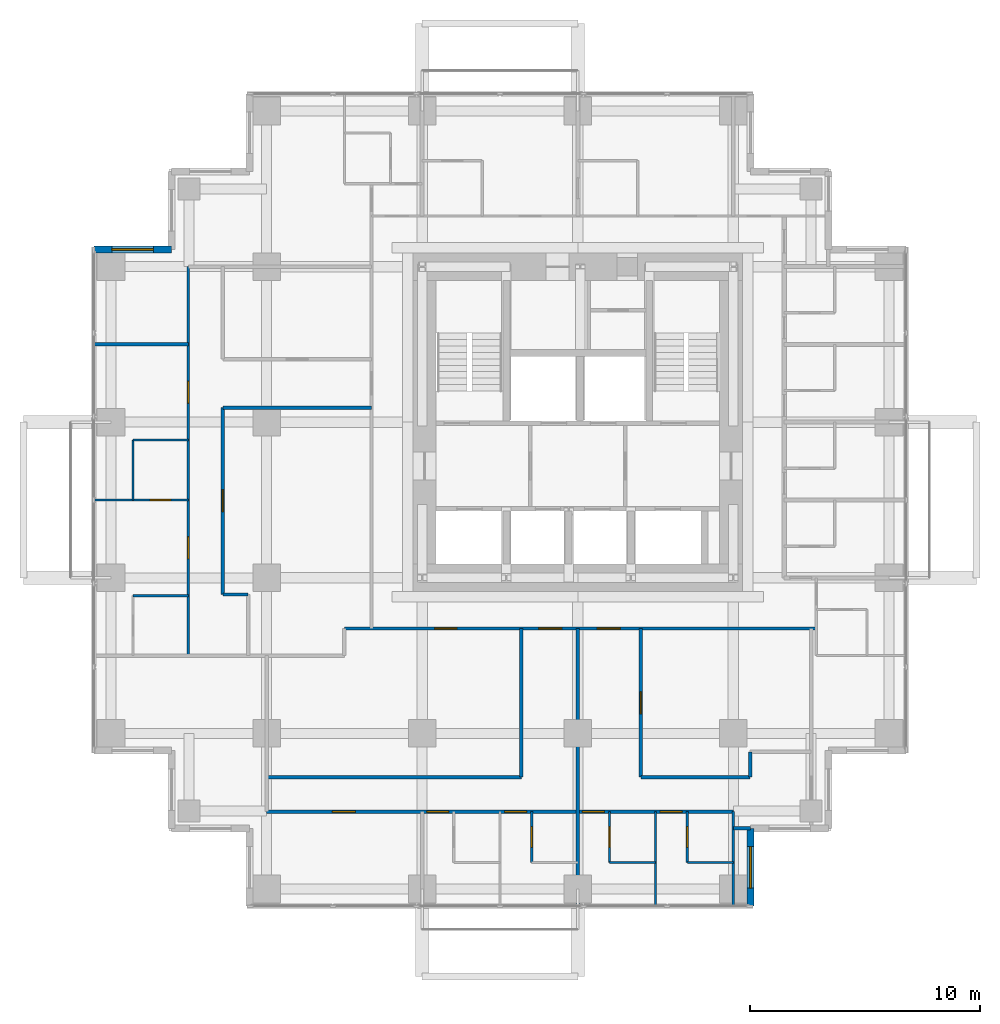
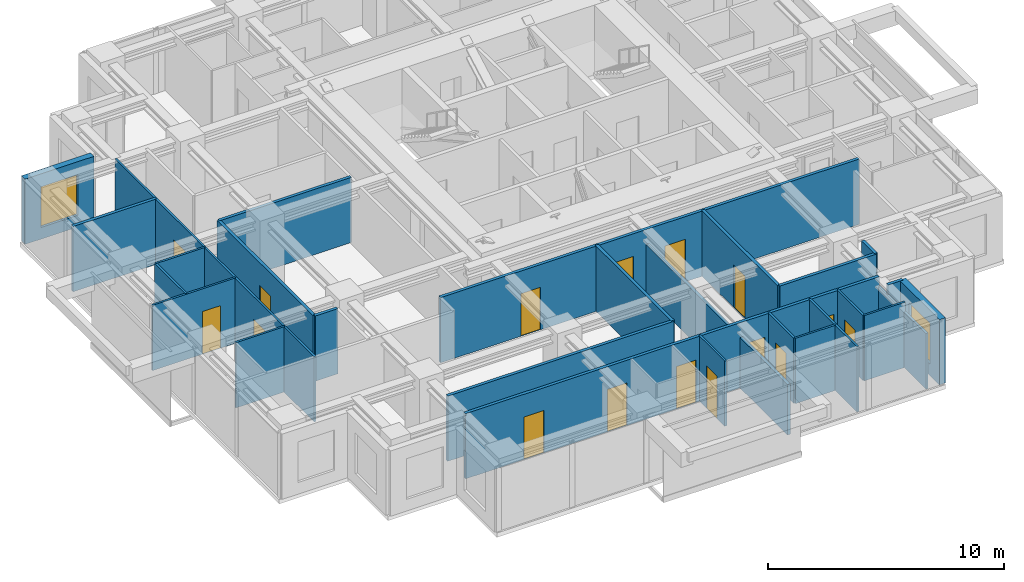
# One storey, part 6 of 10: 27 walls, 16 doors, 2 windows, 18 openings.
"""IFC4 building model written with IfcOpenShell, lengths in metres."""

from ifc_helpers import new_model, si_unit, direction, frame, frame_2d, origin, place, context, subcontext, project, spatial, rectangle, extrude, material, layer, layer_set, type_object, element, fill, save


model = new_model("IFC4")

# Units and contexts
model_context = context("Model", 3, precision=1e-05, world=origin(), true_north=direction((0.0, 1.0)))
body_context = subcontext(model_context, "Body", "Model", "MODEL_VIEW")
ifc_project = project(units=[si_unit("LENGTHUNIT", "METRE"), si_unit("AREAUNIT", "SQUARE_METRE"), si_unit("VOLUMEUNIT", "CUBIC_METRE"), si_unit("PLANEANGLEUNIT", "RADIAN"), si_unit("MASSUNIT", "GRAM", prefix="KILO")], contexts=[model_context])

# Site, building, storey
site_placement = place(None, origin())
site = spatial("IfcSite", under=ifc_project, at=site_placement, CompositionType="ELEMENT")
building_placement = place(site_placement, origin())
building = spatial("IfcBuilding", under=site, at=building_placement, Name="Nyansa Garden Tower", CompositionType="ELEMENT")
storey_placement = place(building_placement, frame((0.0, 0.0, 189.0)))
storey = spatial("IfcBuildingStorey", under=building, at=storey_placement, Name="L51", CompositionType="ELEMENT", Elevation=189.0)

# Wall
ifc_material_1 = material(Name="Blockwork, plastered both sides", Category="masonry")
ifc_layer_1 = layer(ifc_material_1, 0.14990234375)
ifc_layer_set_1 = layer_set([ifc_layer_1], Name="Partition PW150")
wall_type_1 = type_object("IfcWallType", Name="Partition PW150", PredefinedType="PARTITIONING", material=ifc_layer_set_1)
wall_1_placement = place(storey_placement, frame((-0.73388671875, 23.625, 0.0), z_axis=(0.0, 0.0, 1.0), x_axis=(1.0, 0.0, 0.0)))
element("IfcWall", 1, at=wall_1_placement, inside=storey, type_object=wall_type_1, Name="Partition", PredefinedType="PARTITIONING", context=body_context, shape_type="SweptSolid", body=[
    extrude(rectangle(XDim=4.083984375, YDim=0.14990234375, at=frame_2d((2.0419921875, 0.0))), origin(), (0.0, 0.0, 1.0), 3.375),
])

# Wall, opening, door
wall_2_placement = place(storey_placement, frame((4.85009765625, 12.77490234375, 0.0), z_axis=(0.0, 0.0, 1.0), x_axis=(0.0, 1.0, 0.0)))
wall_2 = element("IfcWall", 2, at=wall_2_placement, inside=storey, type_object=wall_type_1, Name="Partition", PredefinedType="PARTITIONING", context=body_context, shape_type="SweptSolid", body=[
    extrude(rectangle(XDim=8.112548828125, YDim=0.14990234375, at=frame_2d((4.05615234375, 0.0))), origin(), (0.0, 0.0, 1.0), 3.375),
])
opening_1_placement = place(wall_2_placement, frame((3.60009765625, 0.0, 0.0)))
opening_1 = element("IfcOpeningElement", 3, at=opening_1_placement, cuts=wall_2, Name="Opening D01", PredefinedType="OPENING", context=body_context, shape_type="SweptSolid", body=[
    extrude(rectangle(XDim=0.949951171875, YDim=2.199951171875, at=frame_2d((0.47509765625, 1.10009765625))), frame((0.0, 0.0849609375, 0.0), z_axis=(0.0, -1.0, 0.0), x_axis=(1.0, 0.0, 0.0)), (0.0, 0.0, 1.0), 0.169921875),
])
ifc_material_2 = material(Name="Timber flush door, 30 minute fire resisting", Category="wood")
door_type_1 = type_object("IfcDoorType", Name="Bedroom door D01 950x2200", OperationType="SINGLE_SWING_LEFT", PredefinedType="DOOR", material=ifc_material_2)
door_1_placement = place(opening_1_placement, origin())
door_1 = element("IfcDoor", 4, at=door_1_placement, inside=storey, type_object=door_type_1, Name="Door L51-056", OperationType="SINGLE_SWING_LEFT", OverallHeight=2.199951171875, OverallWidth=0.949951171875, PredefinedType="DOOR", context=body_context, shape_type="SweptSolid", body=[
    extrude(rectangle(XDim=0.949951171875, YDim=2.199951171875, at=frame_2d((0.47509765625, 1.10009765625))), frame((0.0, 0.02490234375, 0.0), z_axis=(0.0, -1.0, 0.0), x_axis=(1.0, 0.0, 0.0)), (0.0, 0.0, 1.0), 0.050048828125),
])
fill(opening_1, door_1)

# Walls
wall_3_placement = place(storey_placement, frame((4.85009765625, 12.77490234375, 0.0), z_axis=(0.0, 0.0, 1.0), x_axis=(1.0, 0.0, 0.0)))
element("IfcWall", 5, at=wall_3_placement, inside=storey, type_object=wall_type_1, Name="Partition", PredefinedType="PARTITIONING", context=body_context, shape_type="SweptSolid", body=[
    extrude(rectangle(XDim=1.099853515625, YDim=0.14990234375, at=frame_2d((0.5498046875, 0.0))), origin(), (0.0, 0.0, 1.0), 3.375),
])
wall_4_placement = place(storey_placement, frame((4.85009765625, 20.886962890625, 0.0), z_axis=(0.0, 0.0, 1.0), x_axis=(1.0, 0.0, 0.0)))
element("IfcWall", 6, at=wall_4_placement, inside=storey, type_object=wall_type_1, Name="Partition", PredefinedType="PARTITIONING", context=body_context, shape_type="SweptSolid", body=[
    extrude(rectangle(XDim=6.449951171875, YDim=0.14990234375, at=frame_2d((3.22509765625, 0.0))), origin(), (0.0, 0.0, 1.0), 3.375),
])

# Wall, openings, doors
wall_5_placement = place(storey_placement, frame((6.75, 3.35009765625, 0.0), z_axis=(0.0, 0.0, 1.0), x_axis=(1.0, 0.0, 0.0)))
wall_5 = element("IfcWall", 7, at=wall_5_placement, inside=storey, type_object=wall_type_1, Name="Partition", PredefinedType="PARTITIONING", context=body_context, shape_type="SweptSolid", body=[
    extrude(rectangle(XDim=20.25, YDim=0.14990234375, at=frame_2d((10.125, 0.0))), origin(), (0.0, 0.0, 1.0), 3.375),
])
opening_2_placement = place(wall_5_placement, frame((2.85009765625, 0.0, 0.0)))
opening_2 = element("IfcOpeningElement", 8, at=opening_2_placement, cuts=wall_5, Name="Opening D03", PredefinedType="OPENING", context=body_context, shape_type="SweptSolid", body=[
    extrude(rectangle(XDim=1.0, YDim=2.199951171875, at=frame_2d((0.5, 1.10009765625))), frame((0.0, 0.0849609375, 0.0), z_axis=(0.0, -1.0, 0.0), x_axis=(1.0, 0.0, 0.0)), (0.0, 0.0, 1.0), 0.169921875),
])
opening_3_placement = place(wall_5_placement, frame((6.949951171875, 0.0, 0.0)))
opening_3 = element("IfcOpeningElement", 9, at=opening_3_placement, cuts=wall_5, Name="Opening D01", PredefinedType="OPENING", context=body_context, shape_type="SweptSolid", body=[
    extrude(rectangle(XDim=0.949951171875, YDim=2.199951171875, at=frame_2d((0.47509765625, 1.10009765625))), frame((0.0, 0.0849609375, 0.0), z_axis=(0.0, -1.0, 0.0), x_axis=(1.0, 0.0, 0.0)), (0.0, 0.0, 1.0), 0.169921875),
])
opening_4_placement = place(wall_5_placement, frame((10.324951171875, 0.0, 0.0)))
opening_4 = element("IfcOpeningElement", 10, at=opening_4_placement, cuts=wall_5, Name="Opening D01", PredefinedType="OPENING", context=body_context, shape_type="SweptSolid", body=[
    extrude(rectangle(XDim=0.949951171875, YDim=2.199951171875, at=frame_2d((0.47509765625, 1.10009765625))), frame((0.0, 0.0849609375, 0.0), z_axis=(0.0, -1.0, 0.0), x_axis=(1.0, 0.0, 0.0)), (0.0, 0.0, 1.0), 0.169921875),
])
opening_5_placement = place(wall_5_placement, frame((13.699951171875, 0.0, 0.0)))
opening_5 = element("IfcOpeningElement", 11, at=opening_5_placement, cuts=wall_5, Name="Opening D14", PredefinedType="OPENING", context=body_context, shape_type="SweptSolid", body=[
    extrude(rectangle(XDim=0.949951171875, YDim=2.199951171875, at=frame_2d((0.47509765625, 1.10009765625))), frame((0.0, 0.0849609375, 0.0), z_axis=(0.0, -1.0, 0.0), x_axis=(1.0, 0.0, 0.0)), (0.0, 0.0, 1.0), 0.169921875),
])
opening_6_placement = place(wall_5_placement, frame((17.074951171875, 0.0, 0.0)))
opening_6 = element("IfcOpeningElement", 12, at=opening_6_placement, cuts=wall_5, Name="Opening D14", PredefinedType="OPENING", context=body_context, shape_type="SweptSolid", body=[
    extrude(rectangle(XDim=0.949951171875, YDim=2.199951171875, at=frame_2d((0.47509765625, 1.10009765625))), frame((0.0, 0.0849609375, 0.0), z_axis=(0.0, -1.0, 0.0), x_axis=(1.0, 0.0, 0.0)), (0.0, 0.0, 1.0), 0.169921875),
])
door_2_placement = place(opening_3_placement, origin())
door_2 = element("IfcDoor", 13, at=door_2_placement, inside=storey, type_object=door_type_1, Name="Door L51-018", OperationType="SINGLE_SWING_LEFT", OverallHeight=2.199951171875, OverallWidth=0.949951171875, PredefinedType="DOOR", context=body_context, shape_type="SweptSolid", body=[
    extrude(rectangle(XDim=0.949951171875, YDim=2.199951171875, at=frame_2d((0.47509765625, 1.10009765625))), frame((0.0, 0.02490234375, 0.0), z_axis=(0.0, -1.0, 0.0), x_axis=(1.0, 0.0, 0.0)), (0.0, 0.0, 1.0), 0.050048828125),
])
fill(opening_3, door_2)
door_3_placement = place(opening_4_placement, origin())
door_3 = element("IfcDoor", 14, at=door_3_placement, inside=storey, type_object=door_type_1, Name="Door L51-020", OperationType="SINGLE_SWING_LEFT", OverallHeight=2.199951171875, OverallWidth=0.949951171875, PredefinedType="DOOR", context=body_context, shape_type="SweptSolid", body=[
    extrude(rectangle(XDim=0.949951171875, YDim=2.199951171875, at=frame_2d((0.47509765625, 1.10009765625))), frame((0.0, 0.02490234375, 0.0), z_axis=(0.0, -1.0, 0.0), x_axis=(1.0, 0.0, 0.0)), (0.0, 0.0, 1.0), 0.050048828125),
])
fill(opening_4, door_3)
ifc_material_3 = material(Name="Timber flush door, 60 minute fire resisting", Category="wood")
door_type_2 = type_object("IfcDoorType", Name="Cluster entrance door D03 1000x2200", OperationType="SINGLE_SWING_LEFT", PredefinedType="DOOR", material=ifc_material_3)
door_4_placement = place(opening_2_placement, origin())
door_4 = element("IfcDoor", 15, at=door_4_placement, inside=storey, type_object=door_type_2, Name="Door L51-017", OperationType="SINGLE_SWING_LEFT", OverallHeight=2.199951171875, OverallWidth=1.0, PredefinedType="DOOR", context=body_context, shape_type="SweptSolid", body=[
    extrude(rectangle(XDim=1.0, YDim=2.199951171875, at=frame_2d((0.5, 1.10009765625))), frame((0.0, 0.02490234375, 0.0), z_axis=(0.0, -1.0, 0.0), x_axis=(1.0, 0.0, 0.0)), (0.0, 0.0, 1.0), 0.050048828125),
])
fill(opening_2, door_4)
ifc_material_4 = material(Name="Timber flush door, 60 minute fire resisting, self-closing", Category="wood")
door_type_3 = type_object("IfcDoorType", Name="Studio entrance door D14 950x2200", OperationType="SINGLE_SWING_LEFT", PredefinedType="DOOR", material=ifc_material_4)
door_5_placement = place(opening_5_placement, origin())
door_5 = element("IfcDoor", 16, at=door_5_placement, inside=storey, type_object=door_type_3, Name="Door L51-023", OperationType="SINGLE_SWING_LEFT", OverallHeight=2.199951171875, OverallWidth=0.949951171875, PredefinedType="DOOR", context=body_context, shape_type="SweptSolid", body=[
    extrude(rectangle(XDim=0.949951171875, YDim=2.199951171875, at=frame_2d((0.47509765625, 1.10009765625))), frame((0.0, 0.02490234375, 0.0), z_axis=(0.0, -1.0, 0.0), x_axis=(1.0, 0.0, 0.0)), (0.0, 0.0, 1.0), 0.050048828125),
])
fill(opening_5, door_5)
door_6_placement = place(opening_6_placement, origin())
door_6 = element("IfcDoor", 17, at=door_6_placement, inside=storey, type_object=door_type_3, Name="Door L51-025", OperationType="SINGLE_SWING_LEFT", OverallHeight=2.199951171875, OverallWidth=0.949951171875, PredefinedType="DOOR", context=body_context, shape_type="SweptSolid", body=[
    extrude(rectangle(XDim=0.949951171875, YDim=2.199951171875, at=frame_2d((0.47509765625, 1.10009765625))), frame((0.0, 0.02490234375, 0.0), z_axis=(0.0, -1.0, 0.0), x_axis=(1.0, 0.0, 0.0)), (0.0, 0.0, 1.0), 0.050048828125),
])
fill(opening_6, door_6)

# Wall
wall_6_placement = place(storey_placement, frame((6.75, 4.85009765625, 0.0), z_axis=(0.0, 0.0, 1.0), x_axis=(1.0, 0.0, 0.0)))
element("IfcWall", 18, at=wall_6_placement, inside=storey, type_object=wall_type_1, Name="Partition", PredefinedType="PARTITIONING", context=body_context, shape_type="SweptSolid", body=[
    extrude(rectangle(XDim=11.050048828125, YDim=0.14990234375, at=frame_2d((5.52490234375, 0.0))), origin(), (0.0, 0.0, 1.0), 3.375),
])

# Wall, openings, doors
wall_7_placement = place(storey_placement, frame((10.125, 11.300048828125, 0.0), z_axis=(0.0, 0.0, 1.0), x_axis=(1.0, 0.0, 0.0)))
wall_7 = element("IfcWall", 19, at=wall_7_placement, inside=storey, type_object=wall_type_1, Name="Partition", PredefinedType="PARTITIONING", context=body_context, shape_type="SweptSolid", body=[
    extrude(rectangle(XDim=20.47509765625, YDim=0.14990234375, at=frame_2d((10.237548828125, 0.0))), origin(), (0.0, 0.0, 1.0), 3.375),
])
opening_7_placement = place(wall_7_placement, frame((8.425048828125, 0.0, 0.0)))
opening_7 = element("IfcOpeningElement", 20, at=opening_7_placement, cuts=wall_7, Name="Opening D03", PredefinedType="OPENING", context=body_context, shape_type="SweptSolid", body=[
    extrude(rectangle(XDim=1.0, YDim=2.199951171875, at=frame_2d((0.5, 1.10009765625))), frame((0.0, 0.0849609375, 0.0), z_axis=(0.0, -1.0, 0.0), x_axis=(1.0, 0.0, 0.0)), (0.0, 0.0, 1.0), 0.169921875),
])
opening_8_placement = place(wall_7_placement, frame((10.97509765625, 0.0, 0.0)))
opening_8 = element("IfcOpeningElement", 21, at=opening_8_placement, cuts=wall_7, Name="Opening D03", PredefinedType="OPENING", context=body_context, shape_type="SweptSolid", body=[
    extrude(rectangle(XDim=1.0, YDim=2.199951171875, at=frame_2d((0.5, 1.10009765625))), frame((0.0, 0.0849609375, 0.0), z_axis=(0.0, -1.0, 0.0), x_axis=(1.0, 0.0, 0.0)), (0.0, 0.0, 1.0), 0.169921875),
])
opening_9_placement = place(wall_7_placement, frame((3.925048828125, 0.0, 0.0)))
opening_9 = element("IfcOpeningElement", 22, at=opening_9_placement, cuts=wall_7, Name="Opening D01", PredefinedType="OPENING", context=body_context, shape_type="SweptSolid", body=[
    extrude(rectangle(XDim=0.949951171875, YDim=2.199951171875, at=frame_2d((0.47509765625, 1.10009765625))), frame((0.0, 0.0849609375, 0.0), z_axis=(0.0, -1.0, 0.0), x_axis=(1.0, 0.0, 0.0)), (0.0, 0.0, 1.0), 0.169921875),
])
door_7_placement = place(opening_9_placement, origin())
door_7 = element("IfcDoor", 23, at=door_7_placement, inside=storey, type_object=door_type_1, Name="Door L51-028", OperationType="SINGLE_SWING_LEFT", OverallHeight=2.199951171875, OverallWidth=0.949951171875, PredefinedType="DOOR", context=body_context, shape_type="SweptSolid", body=[
    extrude(rectangle(XDim=0.949951171875, YDim=2.199951171875, at=frame_2d((0.47509765625, 1.10009765625))), frame((0.0, 0.02490234375, 0.0), z_axis=(0.0, -1.0, 0.0), x_axis=(1.0, 0.0, 0.0)), (0.0, 0.0, 1.0), 0.050048828125),
])
fill(opening_9, door_7)
door_8_placement = place(opening_7_placement, origin())
door_8 = element("IfcDoor", 24, at=door_8_placement, inside=storey, type_object=door_type_2, Name="Door L51-022", OperationType="SINGLE_SWING_LEFT", OverallHeight=2.199951171875, OverallWidth=1.0, PredefinedType="DOOR", context=body_context, shape_type="SweptSolid", body=[
    extrude(rectangle(XDim=1.0, YDim=2.199951171875, at=frame_2d((0.5, 1.10009765625))), frame((0.0, 0.02490234375, 0.0), z_axis=(0.0, -1.0, 0.0), x_axis=(1.0, 0.0, 0.0)), (0.0, 0.0, 1.0), 0.050048828125),
])
fill(opening_7, door_8)
door_9_placement = place(opening_8_placement, origin())
door_9 = element("IfcDoor", 25, at=door_9_placement, inside=storey, type_object=door_type_2, Name="Door L51-027", OperationType="SINGLE_SWING_LEFT", OverallHeight=2.199951171875, OverallWidth=1.0, PredefinedType="DOOR", context=body_context, shape_type="SweptSolid", body=[
    extrude(rectangle(XDim=1.0, YDim=2.199951171875, at=frame_2d((0.5, 1.10009765625))), frame((0.0, 0.02490234375, 0.0), z_axis=(0.0, -1.0, 0.0), x_axis=(1.0, 0.0, 0.0)), (0.0, 0.0, 1.0), 0.050048828125),
])
fill(opening_8, door_9)

# Walls
wall_8_placement = place(storey_placement, frame((17.800048828125, 4.85009765625, 0.0), z_axis=(0.0, 0.0, 1.0), x_axis=(0.0, 1.0, 0.0)))
element("IfcWall", 26, at=wall_8_placement, inside=storey, type_object=wall_type_1, Name="Partition", PredefinedType="PARTITIONING", context=body_context, shape_type="SweptSolid", body=[
    extrude(rectangle(XDim=6.449951171875, YDim=0.14990234375, at=frame_2d((3.22509765625, 0.0))), origin(), (0.0, 0.0, 1.0), 3.375),
])
wall_9_placement = place(storey_placement, frame((20.25, -0.73388671875, 0.0), z_axis=(0.0, 0.0, 1.0), x_axis=(0.0, 1.0, 0.0)))
element("IfcWall", 27, at=wall_9_placement, inside=storey, type_object=wall_type_1, Name="Partition", PredefinedType="PARTITIONING", context=body_context, shape_type="SweptSolid", body=[
    extrude(rectangle(XDim=12.033935546875, YDim=0.14990234375, at=frame_2d((6.01708984375, 0.0))), origin(), (0.0, 0.0, 1.0), 2.610107421875),
])
wall_10_placement = place(storey_placement, frame((22.987548828125, 4.85009765625, 0.0), z_axis=(0.0, 0.0, 1.0), x_axis=(1.0, 0.0, 0.0)))
element("IfcWall", 28, at=wall_10_placement, inside=storey, type_object=wall_type_1, Name="Partition", PredefinedType="PARTITIONING", context=body_context, shape_type="SweptSolid", body=[
    extrude(rectangle(XDim=4.737548828125, YDim=0.14990234375, at=frame_2d((2.36865234375, 0.0))), origin(), (0.0, 0.0, 1.0), 3.375),
])

# Wall, opening, door
wall_11_placement = place(storey_placement, frame((22.988037109375, 4.85009765625, 0.0), z_axis=(0.0, 0.0, 1.0), x_axis=(0.0, 1.0, 0.0)))
wall_11 = element("IfcWall", 29, at=wall_11_placement, inside=storey, type_object=wall_type_1, Name="Partition", PredefinedType="PARTITIONING", context=body_context, shape_type="SweptSolid", body=[
    extrude(rectangle(XDim=6.449951171875, YDim=0.14990234375, at=frame_2d((3.22509765625, 0.0))), origin(), (0.0, 0.0, 1.0), 3.375),
])
opening_10_placement = place(wall_11_placement, frame((2.75, 0.0, 0.0)))
opening_10 = element("IfcOpeningElement", 30, at=opening_10_placement, cuts=wall_11, Name="Opening D01", PredefinedType="OPENING", context=body_context, shape_type="SweptSolid", body=[
    extrude(rectangle(XDim=0.949951171875, YDim=2.199951171875, at=frame_2d((0.47509765625, 1.10009765625))), frame((0.0, 0.0849609375, 0.0), z_axis=(0.0, -1.0, 0.0), x_axis=(1.0, 0.0, 0.0)), (0.0, 0.0, 1.0), 0.169921875),
])
door_10_placement = place(opening_10_placement, origin())
door_10 = element("IfcDoor", 31, at=door_10_placement, inside=storey, type_object=door_type_1, Name="Door L51-029", OperationType="SINGLE_SWING_LEFT", OverallHeight=2.199951171875, OverallWidth=0.949951171875, PredefinedType="DOOR", context=body_context, shape_type="SweptSolid", body=[
    extrude(rectangle(XDim=0.949951171875, YDim=2.199951171875, at=frame_2d((0.47509765625, 1.10009765625))), frame((0.0, 0.02490234375, 0.0), z_axis=(0.0, -1.0, 0.0), x_axis=(1.0, 0.0, 0.0)), (0.0, 0.0, 1.0), 0.050048828125),
])
fill(opening_10, door_10)

# Walls
wall_12_placement = place(storey_placement, frame((27.0, 2.625, 0.0), z_axis=(0.0, 0.0, 1.0), x_axis=(1.0, 0.0, 0.0)))
element("IfcWall", 32, at=wall_12_placement, inside=storey, type_object=wall_type_1, Name="Partition", PredefinedType="PARTITIONING", context=body_context, shape_type="SweptSolid", body=[
    extrude(rectangle(XDim=0.73388671875, YDim=0.14990234375, at=frame_2d((0.366943359375, 0.0))), origin(), (0.0, 0.0, 1.0), 3.375),
])
wall_13_placement = place(storey_placement, frame((27.72509765625, 4.85009765625, 0.0), z_axis=(0.0, 0.0, 1.0), x_axis=(0.0, 1.0, 0.0)))
element("IfcWall", 33, at=wall_13_placement, inside=storey, type_object=wall_type_1, Name="Partition", PredefinedType="PARTITIONING", context=body_context, shape_type="SweptSolid", body=[
    extrude(rectangle(XDim=1.099853515625, YDim=0.14990234375, at=frame_2d((0.5498046875, 0.0))), origin(), (0.0, 0.0, 1.0), 3.375),
])

# Wall, opening, window
ifc_material_5 = material(Name="Turquoise glazed tile on concrete blockwork", Category="masonry")
ifc_layer_2 = layer(ifc_material_5, 0.300048828125)
ifc_layer_set_2 = layer_set([ifc_layer_2], Name="Tiled corner wall TW300")
wall_type_2 = type_object("IfcWallType", Name="Tiled corner wall TW300", PredefinedType="SOLIDWALL", material=ifc_layer_set_2)
wall_14_placement = place(storey_placement, frame((2.625, 27.75, 0.0), z_axis=(0.0, 0.0, 1.0), x_axis=(-1.0, 0.0, 0.0)))
wall_14 = element("IfcWall", 34, at=wall_14_placement, inside=storey, type_object=wall_type_2, Name="Tiled corner wall L51", PredefinedType="SOLIDWALL", context=body_context, shape_type="SweptSolid", body=[
    extrude(rectangle(XDim=3.375, YDim=0.300048828125, at=frame_2d((1.6875, 0.0))), origin(), (0.0, 0.0, 1.0), 3.375),
])
opening_11_placement = place(wall_14_placement, frame((0.78759765625, 0.0, 0.60009765625)))
opening_11 = element("IfcOpeningElement", 35, at=opening_11_placement, cuts=wall_14, Name="Opening W2", PredefinedType="OPENING", context=body_context, shape_type="SweptSolid", body=[
    extrude(rectangle(XDim=1.800048828125, YDim=2.10009765625, at=frame_2d((0.89990234375, 1.050048828125))), frame((0.0, 0.159912109375, 0.0), z_axis=(0.0, -1.0, 0.0), x_axis=(1.0, 0.0, 0.0)), (0.0, 0.0, 1.0), 0.320068359375),
])
ifc_material_6 = material(Name="Black aluminium frame, dark tinted double glazing", Category="aluminium")
window_type = type_object("IfcWindowType", Name="Window W2 1800x2100", PartitioningType="SINGLE_PANEL", PredefinedType="WINDOW", material=ifc_material_6)
window_1_placement = place(opening_11_placement, origin())
window_1 = element("IfcWindow", 36, at=window_1_placement, inside=storey, type_object=window_type, Name="Corner window L51", OverallHeight=2.10009765625, OverallWidth=1.800048828125, PartitioningType="SINGLE_PANEL", PredefinedType="WINDOW", context=body_context, shape_type="SweptSolid", body=[
    extrude(rectangle(XDim=1.800048828125, YDim=2.10009765625, at=frame_2d((0.89990234375, 1.050048828125))), frame((0.0, 0.030029296875, 0.0), z_axis=(0.0, -1.0, 0.0), x_axis=(1.0, 0.0, 0.0)), (0.0, 0.0, 1.0), 0.06005859375),
])
fill(opening_11, window_1)

wall_15_placement = place(storey_placement, frame((27.75, -0.75, 0.0), z_axis=(0.0, 0.0, 1.0), x_axis=(0.0, 1.0, 0.0)))
wall_15 = element("IfcWall", 37, at=wall_15_placement, inside=storey, type_object=wall_type_2, Name="Tiled corner wall L51", PredefinedType="SOLIDWALL", context=body_context, shape_type="SweptSolid", body=[
    extrude(rectangle(XDim=3.375, YDim=0.300048828125, at=frame_2d((1.6875, 0.0))), origin(), (0.0, 0.0, 1.0), 3.375),
])
opening_12_placement = place(wall_15_placement, frame((0.78759765625, 0.0, 0.60009765625)))
opening_12 = element("IfcOpeningElement", 38, at=opening_12_placement, cuts=wall_15, Name="Opening W2", PredefinedType="OPENING", context=body_context, shape_type="SweptSolid", body=[
    extrude(rectangle(XDim=1.800048828125, YDim=2.10009765625, at=frame_2d((0.89990234375, 1.050048828125))), frame((0.0, 0.159912109375, 0.0), z_axis=(0.0, -1.0, 0.0), x_axis=(1.0, 0.0, 0.0)), (0.0, 0.0, 1.0), 0.320068359375),
])
window_2_placement = place(opening_12_placement, origin())
window_2 = element("IfcWindow", 39, at=window_2_placement, inside=storey, type_object=window_type, Name="Corner window L51", OverallHeight=2.10009765625, OverallWidth=1.800048828125, PartitioningType="SINGLE_PANEL", PredefinedType="WINDOW", context=body_context, shape_type="SweptSolid", body=[
    extrude(rectangle(XDim=1.800048828125, YDim=2.10009765625, at=frame_2d((0.89990234375, 1.050048828125))), frame((0.0, 0.030029296875, 0.0), z_axis=(0.0, -1.0, 0.0), x_axis=(1.0, 0.0, 0.0)), (0.0, 0.0, 1.0), 0.06005859375),
])
fill(opening_12, window_2)

# Wall, opening, door
ifc_material_7 = material(Name="Moisture resistant board on steel studs, tiled", Category="steel")
ifc_layer_3 = layer(ifc_material_7, 0.10009765625)
ifc_layer_set_3 = layer_set([ifc_layer_3], Name="Wet wall PW100")
wall_type_3 = type_object("IfcWallType", Name="Wet wall PW100", PredefinedType="PARTITIONING", material=ifc_layer_set_3)
wall_16_placement = place(storey_placement, frame((-0.73388671875, 16.875, 0.0), z_axis=(0.0, 0.0, 1.0), x_axis=(1.0, 0.0, 0.0)))
wall_16 = element("IfcWall", 40, at=wall_16_placement, inside=storey, type_object=wall_type_3, Name="Wet wall", PredefinedType="PARTITIONING", context=body_context, shape_type="SweptSolid", body=[
    extrude(rectangle(XDim=4.083984375, YDim=0.10009765625, at=frame_2d((2.0419921875, 0.0))), origin(), (0.0, 0.0, 1.0), 3.375),
])
opening_13_placement = place(wall_16_placement, frame((2.43408203125, 0.0, 0.0)))
opening_13 = element("IfcOpeningElement", 41, at=opening_13_placement, cuts=wall_16, Name="Opening D02", PredefinedType="OPENING", context=body_context, shape_type="SweptSolid", body=[
    extrude(rectangle(XDim=0.89990234375, YDim=2.199951171875, at=frame_2d((0.449951171875, 1.10009765625))), frame((0.0, 0.06005859375, 0.0), z_axis=(0.0, -1.0, 0.0), x_axis=(1.0, 0.0, 0.0)), (0.0, 0.0, 1.0), 0.1201171875),
])
ifc_material_8 = material(Name="Timber flush door", Category="wood")
door_type_4 = type_object("IfcDoorType", Name="En-suite door D02 900x2200", OperationType="SINGLE_SWING_RIGHT", PredefinedType="DOOR", material=ifc_material_8)
door_11_placement = place(opening_13_placement, origin())
door_11 = element("IfcDoor", 42, at=door_11_placement, inside=storey, type_object=door_type_4, Name="Door L51-054", OperationType="SINGLE_SWING_RIGHT", OverallHeight=2.199951171875, OverallWidth=0.89990234375, PredefinedType="DOOR", context=body_context, shape_type="SweptSolid", body=[
    extrude(rectangle(XDim=0.89990234375, YDim=2.199951171875, at=frame_2d((0.449951171875, 1.10009765625))), frame((0.0, 0.02490234375, 0.0), z_axis=(0.0, -1.0, 0.0), x_axis=(1.0, 0.0, 0.0)), (0.0, 0.0, 1.0), 0.050048828125),
])
fill(opening_13, door_11)

# Walls
wall_17_placement = place(storey_placement, frame((0.949951171875, 12.72509765625, 0.0), z_axis=(0.0, 0.0, 1.0), x_axis=(1.0, 0.0, 0.0)))
element("IfcWall", 43, at=wall_17_placement, inside=storey, type_object=wall_type_3, Name="Wet wall", PredefinedType="PARTITIONING", context=body_context, shape_type="SweptSolid", body=[
    extrude(rectangle(XDim=2.400146484375, YDim=0.10009765625, at=frame_2d((1.2001953125, 0.0))), origin(), (0.0, 0.0, 1.0), 3.375),
])
wall_18_placement = place(storey_placement, frame((0.949951171875, 16.875, 0.0), z_axis=(0.0, 0.0, 1.0), x_axis=(0.0, 1.0, 0.0)))
element("IfcWall", 44, at=wall_18_placement, inside=storey, type_object=wall_type_3, Name="Wet wall", PredefinedType="PARTITIONING", context=body_context, shape_type="SweptSolid", body=[
    extrude(rectangle(XDim=2.60009765625, YDim=0.10009765625, at=frame_2d((1.300048828125, 0.0))), origin(), (0.0, 0.0, 1.0), 3.375),
])
wall_19_placement = place(storey_placement, frame((0.949951171875, 19.47509765625, 0.0), z_axis=(0.0, 0.0, 1.0), x_axis=(1.0, 0.0, 0.0)))
element("IfcWall", 45, at=wall_19_placement, inside=storey, type_object=wall_type_3, Name="Wet wall", PredefinedType="PARTITIONING", context=body_context, shape_type="SweptSolid", body=[
    extrude(rectangle(XDim=2.400146484375, YDim=0.10009765625, at=frame_2d((1.2001953125, 0.0))), origin(), (0.0, 0.0, 1.0), 3.375),
])

# Wall, openings, doors
wall_20_placement = place(storey_placement, frame((3.35009765625, 10.125, 0.0), z_axis=(0.0, 0.0, 1.0), x_axis=(0.0, 1.0, 0.0)))
wall_20 = element("IfcWall", 46, at=wall_20_placement, inside=storey, type_object=wall_type_3, Name="Wet wall", PredefinedType="PARTITIONING", context=body_context, shape_type="SweptSolid", body=[
    extrude(rectangle(XDim=16.875, YDim=0.10009765625, at=frame_2d((8.4375, 0.0))), origin(), (0.0, 0.0, 1.0), 3.375),
])
opening_14_placement = place(wall_20_placement, frame((4.199951171875, 0.0, 0.0)))
opening_14 = element("IfcOpeningElement", 47, at=opening_14_placement, cuts=wall_20, Name="Opening D14", PredefinedType="OPENING", context=body_context, shape_type="SweptSolid", body=[
    extrude(rectangle(XDim=0.949951171875, YDim=2.199951171875, at=frame_2d((0.47509765625, 1.10009765625))), frame((0.0, 0.06005859375, 0.0), z_axis=(0.0, -1.0, 0.0), x_axis=(1.0, 0.0, 0.0)), (0.0, 0.0, 1.0), 0.1201171875),
])
opening_15_placement = place(wall_20_placement, frame((10.949951171875, 0.0, 0.0)))
opening_15 = element("IfcOpeningElement", 48, at=opening_15_placement, cuts=wall_20, Name="Opening D14", PredefinedType="OPENING", context=body_context, shape_type="SweptSolid", body=[
    extrude(rectangle(XDim=0.949951171875, YDim=2.199951171875, at=frame_2d((0.47509765625, 1.10009765625))), frame((0.0, 0.06005859375, 0.0), z_axis=(0.0, -1.0, 0.0), x_axis=(1.0, 0.0, 0.0)), (0.0, 0.0, 1.0), 0.1201171875),
])
door_12_placement = place(opening_14_placement, origin())
door_12 = element("IfcDoor", 49, at=door_12_placement, inside=storey, type_object=door_type_3, Name="Door L51-051", OperationType="SINGLE_SWING_LEFT", OverallHeight=2.199951171875, OverallWidth=0.949951171875, PredefinedType="DOOR", context=body_context, shape_type="SweptSolid", body=[
    extrude(rectangle(XDim=0.949951171875, YDim=2.199951171875, at=frame_2d((0.47509765625, 1.10009765625))), frame((0.0, 0.02490234375, 0.0), z_axis=(0.0, -1.0, 0.0), x_axis=(1.0, 0.0, 0.0)), (0.0, 0.0, 1.0), 0.050048828125),
])
fill(opening_14, door_12)
door_13_placement = place(opening_15_placement, origin())
door_13 = element("IfcDoor", 50, at=door_13_placement, inside=storey, type_object=door_type_3, Name="Door L51-053", OperationType="SINGLE_SWING_LEFT", OverallHeight=2.199951171875, OverallWidth=0.949951171875, PredefinedType="DOOR", context=body_context, shape_type="SweptSolid", body=[
    extrude(rectangle(XDim=0.949951171875, YDim=2.199951171875, at=frame_2d((0.47509765625, 1.10009765625))), frame((0.0, 0.02490234375, 0.0), z_axis=(0.0, -1.0, 0.0), x_axis=(1.0, 0.0, 0.0)), (0.0, 0.0, 1.0), 0.050048828125),
])
fill(opening_15, door_13)

# Wall, opening, door
wall_21_placement = place(storey_placement, frame((18.25, 1.14990234375, 0.0), z_axis=(0.0, 0.0, 1.0), x_axis=(0.0, 1.0, 0.0)))
wall_21 = element("IfcWall", 51, at=wall_21_placement, inside=storey, type_object=wall_type_3, Name="Wet wall", PredefinedType="PARTITIONING", context=body_context, shape_type="SweptSolid", body=[
    extrude(rectangle(XDim=2.2001953125, YDim=0.10009765625, at=frame_2d((1.10009765625, 0.0))), origin(), (0.0, 0.0, 1.0), 3.375),
])
opening_16_placement = place(wall_21_placement, frame((0.64990234375, 0.0, 0.0)))
opening_16 = element("IfcOpeningElement", 52, at=opening_16_placement, cuts=wall_21, Name="Opening D02", PredefinedType="OPENING", context=body_context, shape_type="SweptSolid", body=[
    extrude(rectangle(XDim=0.89990234375, YDim=2.199951171875, at=frame_2d((0.449951171875, 1.10009765625))), frame((0.0, 0.06005859375, 0.0), z_axis=(0.0, -1.0, 0.0), x_axis=(1.0, 0.0, 0.0)), (0.0, 0.0, 1.0), 0.1201171875),
])
door_14_placement = place(opening_16_placement, origin())
door_14 = element("IfcDoor", 53, at=door_14_placement, inside=storey, type_object=door_type_4, Name="Door L51-021", OperationType="SINGLE_SWING_RIGHT", OverallHeight=2.199951171875, OverallWidth=0.89990234375, PredefinedType="DOOR", context=body_context, shape_type="SweptSolid", body=[
    extrude(rectangle(XDim=0.89990234375, YDim=2.199951171875, at=frame_2d((0.449951171875, 1.10009765625))), frame((0.0, 0.02490234375, 0.0), z_axis=(0.0, -1.0, 0.0), x_axis=(1.0, 0.0, 0.0)), (0.0, 0.0, 1.0), 0.050048828125),
])
fill(opening_16, door_14)

wall_22_placement = place(storey_placement, frame((21.625, 1.14990234375, 0.0), z_axis=(0.0, 0.0, 1.0), x_axis=(0.0, 1.0, 0.0)))
wall_22 = element("IfcWall", 54, at=wall_22_placement, inside=storey, type_object=wall_type_3, Name="Wet wall", PredefinedType="PARTITIONING", context=body_context, shape_type="SweptSolid", body=[
    extrude(rectangle(XDim=2.2001953125, YDim=0.10009765625, at=frame_2d((1.10009765625, 0.0))), origin(), (0.0, 0.0, 1.0), 3.375),
])
opening_17_placement = place(wall_22_placement, frame((0.64990234375, 0.0, 0.0)))
opening_17 = element("IfcOpeningElement", 55, at=opening_17_placement, cuts=wall_22, Name="Opening D02", PredefinedType="OPENING", context=body_context, shape_type="SweptSolid", body=[
    extrude(rectangle(XDim=0.89990234375, YDim=2.199951171875, at=frame_2d((0.449951171875, 1.10009765625))), frame((0.0, 0.06005859375, 0.0), z_axis=(0.0, -1.0, 0.0), x_axis=(1.0, 0.0, 0.0)), (0.0, 0.0, 1.0), 0.1201171875),
])
door_15_placement = place(opening_17_placement, origin())
door_15 = element("IfcDoor", 56, at=door_15_placement, inside=storey, type_object=door_type_4, Name="Door L51-024", OperationType="SINGLE_SWING_RIGHT", OverallHeight=2.199951171875, OverallWidth=0.89990234375, PredefinedType="DOOR", context=body_context, shape_type="SweptSolid", body=[
    extrude(rectangle(XDim=0.89990234375, YDim=2.199951171875, at=frame_2d((0.449951171875, 1.10009765625))), frame((0.0, 0.02490234375, 0.0), z_axis=(0.0, -1.0, 0.0), x_axis=(1.0, 0.0, 0.0)), (0.0, 0.0, 1.0), 0.050048828125),
])
fill(opening_17, door_15)

# Walls
wall_23_placement = place(storey_placement, frame((21.625, 1.14990234375, 0.0), z_axis=(0.0, 0.0, 1.0), x_axis=(1.0, 0.0, 0.0)))
element("IfcWall", 57, at=wall_23_placement, inside=storey, type_object=wall_type_3, Name="Wet wall", PredefinedType="PARTITIONING", context=body_context, shape_type="SweptSolid", body=[
    extrude(rectangle(XDim=2.0, YDim=0.10009765625, at=frame_2d((1.0, 0.0))), origin(), (0.0, 0.0, 1.0), 3.375),
])
wall_24_placement = place(storey_placement, frame((23.625, -0.73388671875, 0.0), z_axis=(0.0, 0.0, 1.0), x_axis=(0.0, 1.0, 0.0)))
element("IfcWall", 58, at=wall_24_placement, inside=storey, type_object=wall_type_3, Name="Wet wall", PredefinedType="PARTITIONING", context=body_context, shape_type="SweptSolid", body=[
    extrude(rectangle(XDim=4.083984375, YDim=0.10009765625, at=frame_2d((2.0419921875, 0.0))), origin(), (0.0, 0.0, 1.0), 3.375),
])

# Wall, opening, door
wall_25_placement = place(storey_placement, frame((25.0, 1.14990234375, 0.0), z_axis=(0.0, 0.0, 1.0), x_axis=(0.0, 1.0, 0.0)))
wall_25 = element("IfcWall", 59, at=wall_25_placement, inside=storey, type_object=wall_type_3, Name="Wet wall", PredefinedType="PARTITIONING", context=body_context, shape_type="SweptSolid", body=[
    extrude(rectangle(XDim=2.2001953125, YDim=0.10009765625, at=frame_2d((1.10009765625, 0.0))), origin(), (0.0, 0.0, 1.0), 3.375),
])
opening_18_placement = place(wall_25_placement, frame((0.64990234375, 0.0, 0.0)))
opening_18 = element("IfcOpeningElement", 60, at=opening_18_placement, cuts=wall_25, Name="Opening D02", PredefinedType="OPENING", context=body_context, shape_type="SweptSolid", body=[
    extrude(rectangle(XDim=0.89990234375, YDim=2.199951171875, at=frame_2d((0.449951171875, 1.10009765625))), frame((0.0, 0.06005859375, 0.0), z_axis=(0.0, -1.0, 0.0), x_axis=(1.0, 0.0, 0.0)), (0.0, 0.0, 1.0), 0.1201171875),
])
door_16_placement = place(opening_18_placement, origin())
door_16 = element("IfcDoor", 61, at=door_16_placement, inside=storey, type_object=door_type_4, Name="Door L51-026", OperationType="SINGLE_SWING_RIGHT", OverallHeight=2.199951171875, OverallWidth=0.89990234375, PredefinedType="DOOR", context=body_context, shape_type="SweptSolid", body=[
    extrude(rectangle(XDim=0.89990234375, YDim=2.199951171875, at=frame_2d((0.449951171875, 1.10009765625))), frame((0.0, 0.02490234375, 0.0), z_axis=(0.0, -1.0, 0.0), x_axis=(1.0, 0.0, 0.0)), (0.0, 0.0, 1.0), 0.050048828125),
])
fill(opening_18, door_16)

# Walls
wall_26_placement = place(storey_placement, frame((25.0, 1.14990234375, 0.0), z_axis=(0.0, 0.0, 1.0), x_axis=(1.0, 0.0, 0.0)))
element("IfcWall", 62, at=wall_26_placement, inside=storey, type_object=wall_type_3, Name="Wet wall", PredefinedType="PARTITIONING", context=body_context, shape_type="SweptSolid", body=[
    extrude(rectangle(XDim=2.0, YDim=0.10009765625, at=frame_2d((1.0, 0.0))), origin(), (0.0, 0.0, 1.0), 3.375),
])
wall_27_placement = place(storey_placement, frame((27.0, -0.73388671875, 0.0), z_axis=(0.0, 0.0, 1.0), x_axis=(0.0, 1.0, 0.0)))
element("IfcWall", 63, at=wall_27_placement, inside=storey, type_object=wall_type_3, Name="Wet wall", PredefinedType="PARTITIONING", context=body_context, shape_type="SweptSolid", body=[
    extrude(rectangle(XDim=4.083984375, YDim=0.10009765625, at=frame_2d((2.0419921875, 0.0))), origin(), (0.0, 0.0, 1.0), 2.876953125),
])

save(model, "model.ifc")
